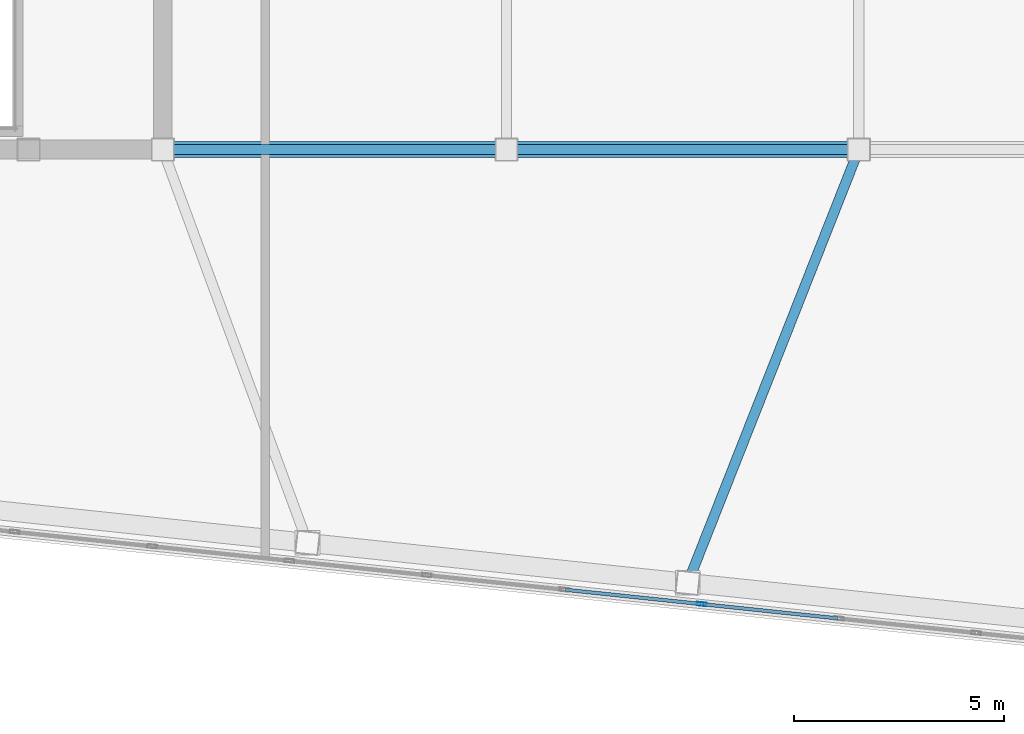
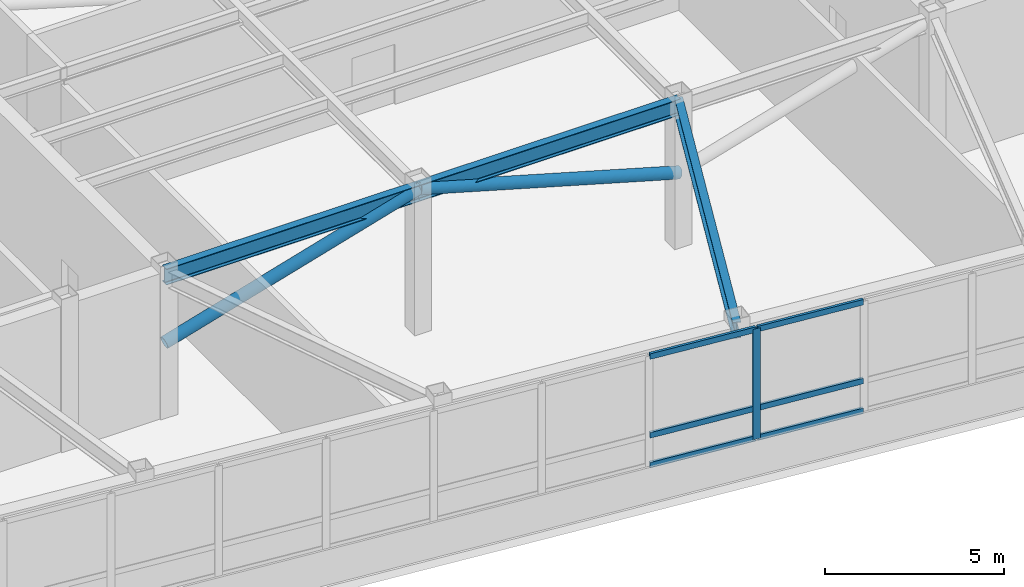
# One storey, part 5 of 21: 9 members, 3 beams, 1 element without a shape of its own.
"""IFC4 building model written with IfcOpenShell, lengths in metres."""

from ifc_helpers import new_model, si_unit, direction, frame, origin, origin_2d, place, context, subcontext, project, spatial, hollow_rectangle, hollow_circle, i_section, extrude, material, layer, layer_set, material_profile, profile_set, type_object, element, aggregate, save


model = new_model("IFC4")

# Units and contexts
model_context = context("Model", 3, precision=1e-05, world=origin(), true_north=direction((0.0, 1.0)))
body_context = subcontext(model_context, "Body", "Model", "MODEL_VIEW")
ifc_project = project(units=[si_unit("LENGTHUNIT", "METRE"), si_unit("AREAUNIT", "SQUARE_METRE"), si_unit("VOLUMEUNIT", "CUBIC_METRE"), si_unit("PLANEANGLEUNIT", "RADIAN"), si_unit("MASSUNIT", "GRAM", prefix="KILO")], contexts=[model_context])

# Site, building, storey
site_placement = place(None, origin())
site = spatial("IfcSite", under=ifc_project, at=site_placement, CompositionType="ELEMENT")
building_placement = place(site_placement, origin())
building = spatial("IfcBuilding", under=site, at=building_placement, Name="Voryun Gate Residences", CompositionType="ELEMENT")
storey_placement = place(building_placement, frame((0.0, 0.0, 337.199951171875)))
storey = spatial("IfcBuildingStorey", under=building, at=storey_placement, Name="L82", CompositionType="ELEMENT", Elevation=337.199951171875)

# Beams
ifc_material_1 = material(Name="Steel SM355", Category="steel")
ifc_material_profile_1 = material_profile(ifc_material_1, i_section(OverallWidth=0.239990234375, OverallDepth=0.550048828125, WebThickness=0.011962890625, FlangeThickness=0.02001953125, FilletRadius=0.01806640625, at=origin_2d()), Name="H-550x240x12x20")
ifc_profile_set_1 = profile_set([ifc_material_profile_1], Name="Steel SM355")
beam_type = type_object("IfcBeamType", Name="BM_GIRD_550", PredefinedType="USERDEFINED", material=ifc_profile_set_1)
beam_1_placement = place(storey_placement, frame((-12.39990234375, -7.39990234375, 4.68505859375), z_axis=(1.0, 0.0, 0.0), x_axis=(0.0, 1.0, 0.0)))
element("IfcBeam", 1, at=beam_1_placement, inside=storey, type_object=beam_type, Name="BM-L82-SPG1-S", ObjectType="GIRDER", PredefinedType="USERDEFINED", context=body_context, shape_type="SweptSolid", body=[
    extrude(i_section(OverallWidth=0.239990234375, OverallDepth=0.550048828125, WebThickness=0.011962890625, FlangeThickness=0.02001953125, FilletRadius=0.01806640625, at=origin_2d()), origin(), (0.0, 0.0, 1.0), 8.199951171875),
])
beam_2_placement = place(storey_placement, frame((-4.199951171875, -7.39990234375, 4.68505859375), z_axis=(1.0, 0.0, 0.0), x_axis=(0.0, 1.0, 0.0)))
element("IfcBeam", 2, at=beam_2_placement, inside=storey, type_object=beam_type, Name="BM-L82-SPG2-S", ObjectType="GIRDER", PredefinedType="USERDEFINED", context=body_context, shape_type="SweptSolid", body=[
    extrude(i_section(OverallWidth=0.239990234375, OverallDepth=0.550048828125, WebThickness=0.011962890625, FlangeThickness=0.02001953125, FilletRadius=0.01806640625, at=origin_2d()), origin(), (0.0, 0.0, 1.0), 8.39990234375),
])
beam_3_placement = place(storey_placement, frame((4.199951171875, -7.39990234375, 4.68505859375), z_axis=(-0.367188053127, -0.930146726942, 0.0), x_axis=(0.930146726942, -0.367188053127, 0.0)))
element("IfcBeam", 3, at=beam_3_placement, inside=storey, type_object=beam_type, Name="BM-L82-RAD-S4", ObjectType="GIRDER", PredefinedType="USERDEFINED", context=body_context, shape_type="SweptSolid", body=[
    extrude(i_section(OverallWidth=0.239990234375, OverallDepth=0.550048828125, WebThickness=0.011962890625, FlangeThickness=0.02001953125, FilletRadius=0.01806640625, at=origin_2d()), origin(), (0.0, 0.0, 1.0), 11.107666015625),
])

# Curtain wall, members
ifc_material_2 = material(Name="Anodised aluminium", Category="aluminium")
ifc_layer = layer(ifc_material_2, 0.22998046875, Name="CW_SYS_LANTERN_DARK_GLASS")
ifc_layer_set = layer_set([ifc_layer], Name="Anodised aluminium")
curtain_wall_type = type_object("IfcCurtainWallType", Name="CW_SYS_LANTERN_DARK_GLASS", PredefinedType="NOTDEFINED", material=ifc_layer_set)
curtain_wall_placement = place(storey_placement, origin())
curtain_wall = element("IfcCurtainWall", 4, at=curtain_wall_placement, inside=storey, type_object=curtain_wall_type, Name="Curtain wall CW6-L82-01", PredefinedType="NOTDEFINED")
ifc_material_3 = material(Name="Anodised aluminium", Category="aluminium")
ifc_material_profile_2 = material_profile(ifc_material_3, hollow_rectangle(XDim=0.0849609375, YDim=0.22998046875, WallThickness=0.006103515625, at=origin_2d()), Name="ALU-MULL-230x85x6")
ifc_profile_set_2 = profile_set([ifc_material_profile_2], Name="Anodised aluminium")
member_type_1 = type_object("IfcMemberType", Name="CW_MULL_LANT", PredefinedType="MULLION", material=ifc_profile_set_2)
member_1_placement = place(storey_placement, frame((0.452392578125, -18.239013671875, 1.18994140625), z_axis=(0.0, 0.0, 1.0), x_axis=(-0.10452775858, -0.994521969434, 0.0)))
member_1 = element("IfcMember", 5, at=member_1_placement, type_object=member_type_1, Name="CW6 mullion 6", PredefinedType="MULLION", context=body_context, shape_type="SweptSolid", body=[
    extrude(hollow_rectangle(XDim=0.0849609375, YDim=0.22998046875, WallThickness=0.006103515625, at=origin_2d()), origin(), (0.0, 0.0, 1.0), 3.77001953125),
])
ifc_material_4 = material(Name="Anodised aluminium", Category="aluminium")
ifc_material_profile_3 = material_profile(ifc_material_4, hollow_rectangle(XDim=0.0849609375, YDim=0.18994140625, WallThickness=0.006103515625, at=origin_2d()), Name="ALU-TRAN-190x85x6")
ifc_profile_set_3 = profile_set([ifc_material_profile_3], Name="Anodised aluminium")
member_type_2 = type_object("IfcMemberType", Name="CW_TRAN_LANT", PredefinedType="USERDEFINED", material=ifc_profile_set_3)
member_2_placement = place(storey_placement, frame((3.698974609375, -18.580322265625, 1.219970703125), z_axis=(-0.994520745033, 0.104539407398, 0.0), x_axis=(-0.104539407398, -0.994520745033, 0.0)))
member_2 = element("IfcMember", 6, at=member_2_placement, type_object=member_type_2, Name="CW6 transom 5.1", ObjectType="TRANSOM", PredefinedType="USERDEFINED", context=body_context, shape_type="SweptSolid", body=[
    extrude(hollow_rectangle(XDim=0.0849609375, YDim=0.18994140625, WallThickness=0.006103515625, at=origin_2d()), origin(), (0.0, 0.0, 1.0), 3.234619140625),
])
member_3_placement = place(storey_placement, frame((3.698974609375, -18.580322265625, 2.239990234375), z_axis=(-0.994520745033, 0.104539407398, 0.0), x_axis=(-0.104539407398, -0.994520745033, 0.0)))
member_3 = element("IfcMember", 7, at=member_3_placement, type_object=member_type_2, Name="CW6 transom 5.2", ObjectType="TRANSOM", PredefinedType="USERDEFINED", context=body_context, shape_type="SweptSolid", body=[
    extrude(hollow_rectangle(XDim=0.0849609375, YDim=0.18994140625, WallThickness=0.006103515625, at=origin_2d()), origin(), (0.0, 0.0, 1.0), 3.234619140625),
])
member_4_placement = place(storey_placement, frame((3.698974609375, -18.580322265625, 4.929931640625), z_axis=(-0.994520745033, 0.104539407398, 0.0), x_axis=(-0.104539407398, -0.994520745033, 0.0)))
member_4 = element("IfcMember", 8, at=member_4_placement, type_object=member_type_2, Name="CW6 transom 5.3", ObjectType="TRANSOM", PredefinedType="USERDEFINED", context=body_context, shape_type="SweptSolid", body=[
    extrude(hollow_rectangle(XDim=0.0849609375, YDim=0.18994140625, WallThickness=0.006103515625, at=origin_2d()), origin(), (0.0, 0.0, 1.0), 3.234619140625),
])
member_5_placement = place(storey_placement, frame((0.42236328125, -18.23583984375, 1.219970703125), z_axis=(-0.994520745033, 0.104539407398, 0.0), x_axis=(-0.104539407398, -0.994520745033, 0.0)))
member_5 = element("IfcMember", 9, at=member_5_placement, type_object=member_type_2, Name="CW6 transom 6.1", ObjectType="TRANSOM", PredefinedType="USERDEFINED", context=body_context, shape_type="SweptSolid", body=[
    extrude(hollow_rectangle(XDim=0.0849609375, YDim=0.18994140625, WallThickness=0.006103515625, at=origin_2d()), origin(), (0.0, 0.0, 1.0), 3.234619140625),
])
member_6_placement = place(storey_placement, frame((0.42236328125, -18.23583984375, 2.239990234375), z_axis=(-0.994520745033, 0.104539407398, 0.0), x_axis=(-0.104539407398, -0.994520745033, 0.0)))
member_6 = element("IfcMember", 10, at=member_6_placement, type_object=member_type_2, Name="CW6 transom 6.2", ObjectType="TRANSOM", PredefinedType="USERDEFINED", context=body_context, shape_type="SweptSolid", body=[
    extrude(hollow_rectangle(XDim=0.0849609375, YDim=0.18994140625, WallThickness=0.006103515625, at=origin_2d()), origin(), (0.0, 0.0, 1.0), 3.234619140625),
])
member_7_placement = place(storey_placement, frame((0.42236328125, -18.23583984375, 4.929931640625), z_axis=(-0.994520745033, 0.104539407398, 0.0), x_axis=(-0.104539407398, -0.994520745033, 0.0)))
member_7 = element("IfcMember", 11, at=member_7_placement, type_object=member_type_2, Name="CW6 transom 6.3", ObjectType="TRANSOM", PredefinedType="USERDEFINED", context=body_context, shape_type="SweptSolid", body=[
    extrude(hollow_rectangle(XDim=0.0849609375, YDim=0.18994140625, WallThickness=0.006103515625, at=origin_2d()), origin(), (0.0, 0.0, 1.0), 3.234619140625),
])
aggregate(curtain_wall, [member_1, member_2, member_3, member_4, member_5, member_6, member_7])

# Members
ifc_material_5 = material(Name="Steel SM355", Category="steel")
ifc_material_profile_4 = material_profile(ifc_material_5, hollow_circle(Radius=0.18994140625, WallThickness=0.01806640625, at=origin_2d()), Name="CHS-380x18")
ifc_profile_set_4 = profile_set([ifc_material_profile_4], Name="Steel SM355")
member_type_3 = type_object("IfcMemberType", Name="MBR_CROWN_DIAGRID", PredefinedType="BRACE", material=ifc_profile_set_4)
member_8_placement = place(storey_placement, frame((-12.39990234375, -7.39990234375, 2.380126953125), z_axis=(0.959740037409, 0.0, 0.280889765913), x_axis=(0.0, 1.0, 0.0)))
element("IfcMember", 12, at=member_8_placement, inside=storey, type_object=member_type_3, Name="L82 Lantern Spine Diagrid Brace 01", PredefinedType="BRACE", context=body_context, shape_type="SweptSolid", body=[
    extrude(hollow_circle(Radius=0.18994140625, WallThickness=0.01806640625, at=origin_2d()), origin(), (0.0, 0.0, 1.0), 8.5439453125),
])
member_9_placement = place(storey_placement, frame((4.199951171875, -7.39990234375, 2.380126953125), z_axis=(-0.96152605678, 0.0, 0.274713745804), x_axis=(0.0, -1.0, 0.0)))
element("IfcMember", 13, at=member_9_placement, inside=storey, type_object=member_type_3, Name="L82 Lantern Spine Diagrid Brace 02", PredefinedType="BRACE", context=body_context, shape_type="SweptSolid", body=[
    extrude(hollow_circle(Radius=0.18994140625, WallThickness=0.01806640625, at=origin_2d()), origin(), (0.0, 0.0, 1.0), 8.736083984375),
])

save(model, "model.ifc")
